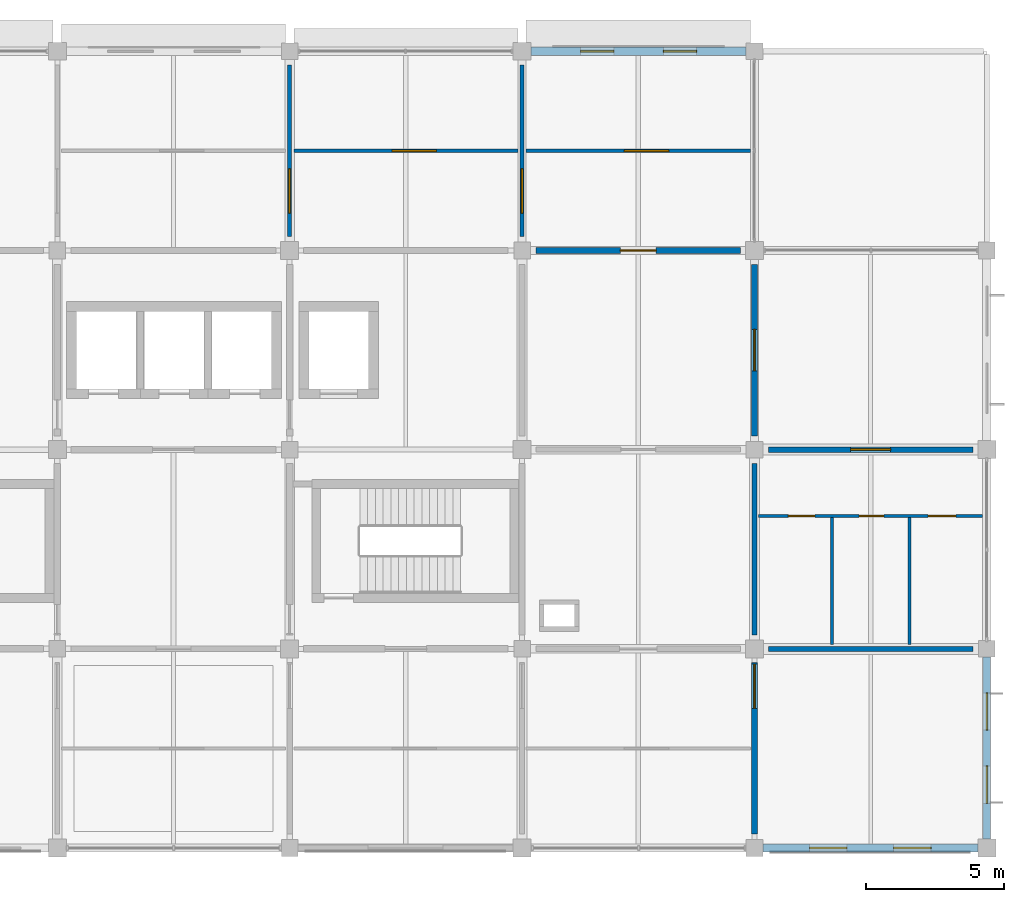
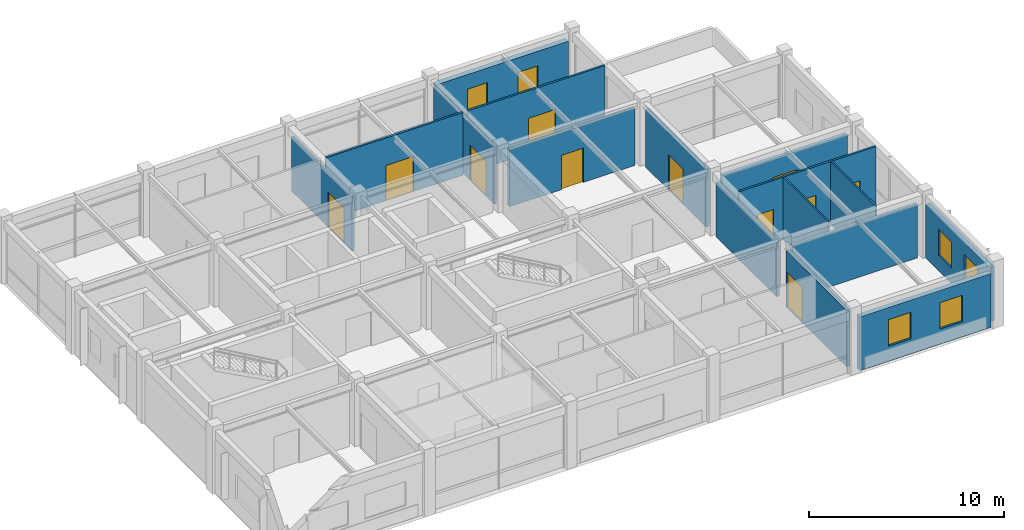
# One storey, part 10 of 13: 16 walls, 11 doors, 6 windows, 17 openings.
"""IFC4 building model written with IfcOpenShell, lengths in metres."""

from ifc_helpers import new_model, si_unit, derived_unit, direction, frame, frame_2d, origin, place, context, subcontext, project, spatial, rectangle, extrude, material, layer, layer_set, type_object, element, fill, save


model = new_model("IFC4")

# Units and contexts
model_context = context("Model", 3, precision=1e-05, world=origin(), true_north=direction((0.0, 1.0)))
body_context = subcontext(model_context, "Body", "Model", "MODEL_VIEW")
ifc_project = project(units=[si_unit("LENGTHUNIT", "METRE"), si_unit("AREAUNIT", "SQUARE_METRE"), si_unit("VOLUMEUNIT", "CUBIC_METRE"), si_unit("PLANEANGLEUNIT", "RADIAN"), si_unit("MASSUNIT", "GRAM", prefix="KILO"), derived_unit("THERMALTRANSMITTANCEUNIT", [(si_unit("MASSUNIT", "GRAM", prefix="KILO"), 1), (si_unit("TIMEUNIT", "SECOND"), -3), (si_unit("THERMODYNAMICTEMPERATUREUNIT", "KELVIN"), -1)])], contexts=[model_context])

# Site, building, storey
site_placement = place(None, origin())
site = spatial("IfcSite", under=ifc_project, at=site_placement, CompositionType="ELEMENT")
building_placement = place(site_placement, origin())
building = spatial("IfcBuilding", under=site, at=building_placement, Name="Veldstrom Oceanarium and Marine Research Institute", CompositionType="ELEMENT")
storey_placement = place(building_placement, frame((0.0, 0.0, 52.199951171875)))
storey = spatial("IfcBuildingStorey", under=building, at=storey_placement, Name="L11", CompositionType="ELEMENT", Elevation=52.199951171875)

# Wall, openings, windows
ifc_material_1 = material(Name="Masonry Cavity Wall", Category="masonry")
ifc_layer_1 = layer(ifc_material_1, 0.31005859375)
ifc_layer_set_1 = layer_set([ifc_layer_1], Name="ARC-WAL-EW1")
wall_type_1 = type_object("IfcWallType", Name="ARC-WAL-EW1", PredefinedType="SOLIDWALL", material=ifc_layer_set_1)
wall_1_placement = place(storey_placement, frame((101.125, 72.0, 0.0), z_axis=(0.0, 0.0, 1.0), x_axis=(1.0, 0.0, 0.0)))
wall_1 = element("IfcWall", 1, at=wall_1_placement, inside=storey, type_object=wall_type_1, Name="Exterior Facade Wall EW1 L11-237", PredefinedType="SOLIDWALL", context=body_context, shape_type="SweptSolid", body=[
    extrude(rectangle(XDim=7.77490234375, YDim=0.31005859375, at=frame_2d((3.887451171875, 0.0))), origin(), (0.0, 0.0, 1.0), 3.364990234375),
])
opening_1_placement = place(wall_1_placement, frame((1.791748046875, 0.0, 0.949951171875)))
opening_1 = element("IfcOpeningElement", 2, at=opening_1_placement, cuts=wall_1, Name="Opening W16", PredefinedType="OPENING", context=body_context, shape_type="SweptSolid", body=[
    extrude(rectangle(XDim=1.199951171875, YDim=1.5, at=frame_2d((0.60009765625, 0.75))), frame((0.0, 0.1650390625, 0.0), z_axis=(0.0, -1.0, 0.0), x_axis=(1.0, 0.0, 0.0)), (0.0, 0.0, 1.0), 0.330078125),
])
opening_2_placement = place(wall_1_placement, frame((4.783203125, 0.0, 0.949951171875)))
opening_2 = element("IfcOpeningElement", 3, at=opening_2_placement, cuts=wall_1, Name="Opening W16", PredefinedType="OPENING", context=body_context, shape_type="SweptSolid", body=[
    extrude(rectangle(XDim=1.199951171875, YDim=1.5, at=frame_2d((0.60009765625, 0.75))), frame((0.0, 0.1650390625, 0.0), z_axis=(0.0, -1.0, 0.0), x_axis=(1.0, 0.0, 0.0)), (0.0, 0.0, 1.0), 0.330078125),
])
ifc_material_2 = material(Name="Double Glazed Low-E IGU", Category="glass")
window_type_1 = type_object("IfcWindowType", Name="ARC-WIN-W16", PartitioningType="SINGLE_PANEL", PredefinedType="WINDOW", material=ifc_material_2)
window_1_placement = place(opening_1_placement, origin())
window_1 = element("IfcWindow", 4, at=window_1_placement, inside=storey, type_object=window_type_1, Name="Facade Window W16 L11-0217", OverallHeight=1.5, OverallWidth=1.199951171875, PartitioningType="SINGLE_PANEL", PredefinedType="WINDOW", context=body_context, shape_type="SweptSolid", body=[
    extrude(rectangle(XDim=1.199951171875, YDim=1.5, at=frame_2d((0.60009765625, 0.75))), frame((0.0, 0.030029296875, 0.0), z_axis=(0.0, -1.0, 0.0), x_axis=(1.0, 0.0, 0.0)), (0.0, 0.0, 1.0), 0.06005859375),
])
fill(opening_1, window_1)
window_2_placement = place(opening_2_placement, origin())
window_2 = element("IfcWindow", 5, at=window_2_placement, inside=storey, type_object=window_type_1, Name="Facade Window W16 L11-0218", OverallHeight=1.5, OverallWidth=1.199951171875, PartitioningType="SINGLE_PANEL", PredefinedType="WINDOW", context=body_context, shape_type="SweptSolid", body=[
    extrude(rectangle(XDim=1.199951171875, YDim=1.5, at=frame_2d((0.60009765625, 0.75))), frame((0.0, 0.030029296875, 0.0), z_axis=(0.0, -1.0, 0.0), x_axis=(1.0, 0.0, 0.0)), (0.0, 0.0, 1.0), 0.06005859375),
])
fill(opening_2, window_2)

ifc_material_3 = material(Name="Masonry Cavity Wall", Category="masonry")
ifc_layer_2 = layer(ifc_material_3, 0.2900390625)
ifc_layer_set_2 = layer_set([ifc_layer_2], Name="ARC-WAL-EW2")
wall_type_2 = type_object("IfcWallType", Name="ARC-WAL-EW2", PredefinedType="SOLIDWALL", material=ifc_layer_set_2)
wall_2_placement = place(storey_placement, frame((109.5, 43.199951171875, 0.0), z_axis=(0.0, 0.0, 1.0), x_axis=(1.0, 0.0, 0.0)))
wall_2 = element("IfcWall", 6, at=wall_2_placement, inside=storey, type_object=wall_type_2, Name="Exterior Facade Wall EW2 L11-238", PredefinedType="SOLIDWALL", context=body_context, shape_type="SweptSolid", body=[
    extrude(rectangle(XDim=7.77490234375, YDim=0.2900390625, at=frame_2d((3.887451171875, 0.0))), origin(), (0.0, 0.0, 1.0), 3.364990234375),
])
opening_3_placement = place(wall_2_placement, frame((1.691650390625, 0.0, 0.949951171875)))
opening_3 = element("IfcOpeningElement", 7, at=opening_3_placement, cuts=wall_2, Name="Opening W24", PredefinedType="OPENING", context=body_context, shape_type="SweptSolid", body=[
    extrude(rectangle(XDim=1.35009765625, YDim=1.64990234375, at=frame_2d((0.675048828125, 0.824951171875))), frame((0.0, 0.155029296875, 0.0), z_axis=(0.0, -1.0, 0.0), x_axis=(1.0, 0.0, 0.0)), (0.0, 0.0, 1.0), 0.31005859375),
])
opening_4_placement = place(wall_2_placement, frame((4.7333984375, 0.0, 0.949951171875)))
opening_4 = element("IfcOpeningElement", 8, at=opening_4_placement, cuts=wall_2, Name="Opening W24", PredefinedType="OPENING", context=body_context, shape_type="SweptSolid", body=[
    extrude(rectangle(XDim=1.35009765625, YDim=1.64990234375, at=frame_2d((0.675048828125, 0.824951171875))), frame((0.0, 0.155029296875, 0.0), z_axis=(0.0, -1.0, 0.0), x_axis=(1.0, 0.0, 0.0)), (0.0, 0.0, 1.0), 0.31005859375),
])
ifc_material_4 = material(Name="Double Glazed Low-E IGU", Category="glass")
window_type_2 = type_object("IfcWindowType", Name="ARC-WIN-W24", PartitioningType="SINGLE_PANEL", PredefinedType="WINDOW", material=ifc_material_4)
window_3_placement = place(opening_3_placement, origin())
window_3 = element("IfcWindow", 9, at=window_3_placement, inside=storey, type_object=window_type_2, Name="Facade Window W24 L11-0219", OverallHeight=1.64990234375, OverallWidth=1.35009765625, PartitioningType="SINGLE_PANEL", PredefinedType="WINDOW", context=body_context, shape_type="SweptSolid", body=[
    extrude(rectangle(XDim=1.35009765625, YDim=1.64990234375, at=frame_2d((0.675048828125, 0.824951171875))), frame((0.0, 0.030029296875, 0.0), z_axis=(0.0, -1.0, 0.0), x_axis=(1.0, 0.0, 0.0)), (0.0, 0.0, 1.0), 0.06005859375),
])
fill(opening_3, window_3)
window_4_placement = place(opening_4_placement, origin())
window_4 = element("IfcWindow", 10, at=window_4_placement, inside=storey, type_object=window_type_2, Name="Facade Window W24 L11-0220", OverallHeight=1.64990234375, OverallWidth=1.35009765625, PartitioningType="SINGLE_PANEL", PredefinedType="WINDOW", context=body_context, shape_type="SweptSolid", body=[
    extrude(rectangle(XDim=1.35009765625, YDim=1.64990234375, at=frame_2d((0.675048828125, 0.824951171875))), frame((0.0, 0.030029296875, 0.0), z_axis=(0.0, -1.0, 0.0), x_axis=(1.0, 0.0, 0.0)), (0.0, 0.0, 1.0), 0.06005859375),
])
fill(opening_4, window_4)

ifc_material_5 = material(Name="Masonry Cavity Wall", Category="masonry")
ifc_layer_3 = layer(ifc_material_5, 0.27001953125)
ifc_layer_set_3 = layer_set([ifc_layer_3], Name="ARC-WAL-EW3")
wall_type_3 = type_object("IfcWallType", Name="ARC-WAL-EW3", PredefinedType="SOLIDWALL", material=ifc_layer_set_3)
wall_3_placement = place(storey_placement, frame((117.60009765625, 43.52490234375, 0.0), z_axis=(0.0, 0.0, 1.0), x_axis=(0.0, 1.0, 0.0)))
wall_3 = element("IfcWall", 11, at=wall_3_placement, inside=storey, type_object=wall_type_3, Name="Exterior Facade Wall EW3 L11-239", PredefinedType="SOLIDWALL", context=body_context, shape_type="SweptSolid", body=[
    extrude(rectangle(XDim=6.5751953125, YDim=0.27001953125, at=frame_2d((3.28759765625, 0.0))), origin(), (0.0, 0.0, 1.0), 3.364990234375),
])
opening_5_placement = place(wall_3_placement, frame((1.291748046875, 0.0, 0.949951171875)))
opening_5 = element("IfcOpeningElement", 12, at=opening_5_placement, cuts=wall_3, Name="Opening W24", PredefinedType="OPENING", context=body_context, shape_type="SweptSolid", body=[
    extrude(rectangle(XDim=1.35009765625, YDim=1.64990234375, at=frame_2d((0.675048828125, 0.824951171875))), frame((0.0, 0.14501953125, 0.0), z_axis=(0.0, -1.0, 0.0), x_axis=(1.0, 0.0, 0.0)), (0.0, 0.0, 1.0), 0.2900390625),
])
opening_6_placement = place(wall_3_placement, frame((3.933349609375, 0.0, 0.949951171875)))
opening_6 = element("IfcOpeningElement", 13, at=opening_6_placement, cuts=wall_3, Name="Opening W24", PredefinedType="OPENING", context=body_context, shape_type="SweptSolid", body=[
    extrude(rectangle(XDim=1.35009765625, YDim=1.64990234375, at=frame_2d((0.675048828125, 0.824951171875))), frame((0.0, 0.14501953125, 0.0), z_axis=(0.0, -1.0, 0.0), x_axis=(1.0, 0.0, 0.0)), (0.0, 0.0, 1.0), 0.2900390625),
])
window_5_placement = place(opening_5_placement, origin())
window_5 = element("IfcWindow", 14, at=window_5_placement, inside=storey, type_object=window_type_2, Name="Facade Window W24 L11-0221", OverallHeight=1.64990234375, OverallWidth=1.35009765625, PartitioningType="SINGLE_PANEL", PredefinedType="WINDOW", context=body_context, shape_type="SweptSolid", body=[
    extrude(rectangle(XDim=1.35009765625, YDim=1.64990234375, at=frame_2d((0.675048828125, 0.824951171875))), frame((0.0, 0.030029296875, 0.0), z_axis=(0.0, -1.0, 0.0), x_axis=(1.0, 0.0, 0.0)), (0.0, 0.0, 1.0), 0.06005859375),
])
fill(opening_5, window_5)
window_6_placement = place(opening_6_placement, origin())
window_6 = element("IfcWindow", 15, at=window_6_placement, inside=storey, type_object=window_type_2, Name="Facade Window W24 L11-0222", OverallHeight=1.64990234375, OverallWidth=1.35009765625, PartitioningType="SINGLE_PANEL", PredefinedType="WINDOW", context=body_context, shape_type="SweptSolid", body=[
    extrude(rectangle(XDim=1.35009765625, YDim=1.64990234375, at=frame_2d((0.675048828125, 0.824951171875))), frame((0.0, 0.030029296875, 0.0), z_axis=(0.0, -1.0, 0.0), x_axis=(1.0, 0.0, 0.0)), (0.0, 0.0, 1.0), 0.06005859375),
])
fill(opening_6, window_6)

# Wall, opening, door
ifc_material_6 = material(Name="Gypsum Acoustic Lab Partition", Category="gypsum")
ifc_layer_4 = layer(ifc_material_6, 0.1201171875)
ifc_layer_set_4 = layer_set([ifc_layer_4], Name="ARC-WAL-PT10")
wall_type_4 = type_object("IfcWallType", Name="ARC-WAL-PT10", PredefinedType="PARTITIONING", material=ifc_layer_set_4)
wall_4_placement = place(storey_placement, frame((92.550048828125, 68.39990234375, 0.0), z_axis=(0.0, 0.0, 1.0), x_axis=(1.0, 0.0, 0.0)))
wall_4 = element("IfcWall", 16, at=wall_4_placement, inside=storey, type_object=wall_type_4, Name="Laboratory Suite Partition L11-11/9", PredefinedType="PARTITIONING", context=body_context, shape_type="SweptSolid", body=[
    extrude(rectangle(XDim=8.099853515625, YDim=0.1201171875, at=frame_2d((4.0498046875, 0.0))), origin(), (0.0, 0.0, 1.0), 3.920166015625),
])
opening_7_placement = place(wall_4_placement, frame((3.550048828125, 0.0, 0.0)))
opening_7 = element("IfcOpeningElement", 17, at=opening_7_placement, cuts=wall_4, Name="Opening D-L11-S1021", PredefinedType="OPENING", context=body_context, shape_type="SweptSolid", body=[
    extrude(rectangle(XDim=1.60009765625, YDim=2.199951171875, at=frame_2d((0.800048828125, 1.10009765625))), frame((0.0, 0.070068359375, 0.0), z_axis=(0.0, -1.0, 0.0), x_axis=(1.0, 0.0, 0.0)), (0.0, 0.0, 1.0), 0.14013671875),
])
ifc_material_7 = material(Name="Acoustic Timber Corridor Door", Category="wood")
door_type_1 = type_object("IfcDoorType", Name="ARC-DOR-ID02", OperationType="DOUBLE_DOOR_SINGLE_SWING", PredefinedType="DOOR", material=ifc_material_7)
door_1_placement = place(opening_7_placement, origin())
door_1 = element("IfcDoor", 18, at=door_1_placement, inside=storey, type_object=door_type_1, Name="Suite Interior Door D-L11-S1021", OperationType="SINGLE_SWING_LEFT", OverallHeight=2.199951171875, OverallWidth=1.60009765625, PredefinedType="DOOR", context=body_context, shape_type="SweptSolid", body=[
    extrude(rectangle(XDim=1.60009765625, YDim=2.199951171875, at=frame_2d((0.800048828125, 1.10009765625))), frame((0.0, 0.02490234375, 0.0), z_axis=(0.0, -1.0, 0.0), x_axis=(1.0, 0.0, 0.0)), (0.0, 0.0, 1.0), 0.050048828125),
])
fill(opening_7, door_1)

wall_5_placement = place(storey_placement, frame((100.949951171875, 68.39990234375, 0.0), z_axis=(0.0, 0.0, 1.0), x_axis=(1.0, 0.0, 0.0)))
wall_5 = element("IfcWall", 19, at=wall_5_placement, inside=storey, type_object=wall_type_4, Name="Laboratory Suite Partition L11-12/9", PredefinedType="PARTITIONING", context=body_context, shape_type="SweptSolid", body=[
    extrude(rectangle(XDim=8.10009765625, YDim=0.1201171875, at=frame_2d((4.050048828125, 0.0))), origin(), (0.0, 0.0, 1.0), 3.920166015625),
])
opening_8_placement = place(wall_5_placement, frame((3.550048828125, 0.0, 0.0)))
opening_8 = element("IfcOpeningElement", 20, at=opening_8_placement, cuts=wall_5, Name="Opening D-L11-S1022", PredefinedType="OPENING", context=body_context, shape_type="SweptSolid", body=[
    extrude(rectangle(XDim=1.60009765625, YDim=2.199951171875, at=frame_2d((0.800048828125, 1.10009765625))), frame((0.0, 0.070068359375, 0.0), z_axis=(0.0, -1.0, 0.0), x_axis=(1.0, 0.0, 0.0)), (0.0, 0.0, 1.0), 0.14013671875),
])
door_2_placement = place(opening_8_placement, origin())
door_2 = element("IfcDoor", 21, at=door_2_placement, inside=storey, type_object=door_type_1, Name="Suite Interior Door D-L11-S1022", OperationType="SINGLE_SWING_RIGHT", OverallHeight=2.199951171875, OverallWidth=1.60009765625, PredefinedType="DOOR", context=body_context, shape_type="SweptSolid", body=[
    extrude(rectangle(XDim=1.60009765625, YDim=2.199951171875, at=frame_2d((0.800048828125, 1.10009765625))), frame((0.0, 0.02490234375, 0.0), z_axis=(0.0, -1.0, 0.0), x_axis=(1.0, 0.0, 0.0)), (0.0, 0.0, 1.0), 0.050048828125),
])
fill(opening_8, door_2)

ifc_material_8 = material(Name="Masonry Acoustic Lab Partition", Category="masonry")
ifc_layer_5 = layer(ifc_material_8, 0.205078125)
ifc_layer_set_5 = layer_set([ifc_layer_5], Name="ARC-WAL-PT2")
wall_type_5 = type_object("IfcWallType", Name="ARC-WAL-PT2", PredefinedType="PARTITIONING", material=ifc_layer_set_5)
wall_6_placement = place(storey_placement, frame((109.199951171875, 43.699951171875, 0.0), z_axis=(0.0, 0.0, 1.0), x_axis=(0.0, 1.0, 0.0)))
wall_6 = element("IfcWall", 22, at=wall_6_placement, inside=storey, type_object=wall_type_5, Name="Interior Partition PT2 L11-1692", PredefinedType="PARTITIONING", context=body_context, shape_type="SweptSolid", body=[
    extrude(rectangle(XDim=6.199951171875, YDim=0.205078125, at=frame_2d((3.10009765625, 0.0))), origin(), (0.0, 0.0, 1.0), 3.51513671875),
])
opening_9_placement = place(wall_6_placement, frame((4.550048828125, 0.0, 0.0)))
opening_9 = element("IfcOpeningElement", 23, at=opening_9_placement, cuts=wall_6, Name="Opening D-L11-1037", PredefinedType="OPENING", context=body_context, shape_type="SweptSolid", body=[
    extrude(rectangle(XDim=1.60009765625, YDim=2.199951171875, at=frame_2d((0.800048828125, 1.10009765625))), frame((0.0, 0.112548828125, 0.0), z_axis=(0.0, -1.0, 0.0), x_axis=(1.0, 0.0, 0.0)), (0.0, 0.0, 1.0), 0.22509765625),
])
door_3_placement = place(opening_9_placement, origin())
door_3 = element("IfcDoor", 24, at=door_3_placement, inside=storey, type_object=door_type_1, Name="Interior Door D-L11-1037", OperationType="DOUBLE_DOOR_SINGLE_SWING", OverallHeight=2.199951171875, OverallWidth=1.60009765625, PredefinedType="DOOR", context=body_context, shape_type="SweptSolid", body=[
    extrude(rectangle(XDim=1.60009765625, YDim=2.199951171875, at=frame_2d((0.800048828125, 1.10009765625))), frame((0.0, 0.02490234375, 0.0), z_axis=(0.0, -1.0, 0.0), x_axis=(1.0, 0.0, 0.0)), (0.0, 0.0, 1.0), 0.050048828125),
])
fill(opening_9, door_3)

wall_7_placement = place(storey_placement, frame((109.199951171875, 58.10009765625, 0.0), z_axis=(0.0, 0.0, 1.0), x_axis=(0.0, 1.0, 0.0)))
wall_7 = element("IfcWall", 25, at=wall_7_placement, inside=storey, type_object=wall_type_5, Name="Interior Partition PT2 L11-1696", PredefinedType="PARTITIONING", context=body_context, shape_type="SweptSolid", body=[
    extrude(rectangle(XDim=6.199951171875, YDim=0.205078125, at=frame_2d((3.10009765625, 0.0))), origin(), (0.0, 0.0, 1.0), 3.625),
])
opening_10_placement = place(wall_7_placement, frame((2.35009765625, 0.0, 0.0)))
opening_10 = element("IfcOpeningElement", 26, at=opening_10_placement, cuts=wall_7, Name="Opening D-L11-1040", PredefinedType="OPENING", context=body_context, shape_type="SweptSolid", body=[
    extrude(rectangle(XDim=1.5, YDim=2.199951171875, at=frame_2d((0.75, 1.10009765625))), frame((0.0, 0.112548828125, 0.0), z_axis=(0.0, -1.0, 0.0), x_axis=(1.0, 0.0, 0.0)), (0.0, 0.0, 1.0), 0.22509765625),
])
ifc_material_9 = material(Name="Laboratory Double Leaf Door", Category="timber")
door_type_2 = type_object("IfcDoorType", Name="ARC-DOR-ID03", OperationType="DOUBLE_DOOR_SINGLE_SWING", PredefinedType="DOOR", material=ifc_material_9)
door_4_placement = place(opening_10_placement, origin())
door_4 = element("IfcDoor", 27, at=door_4_placement, inside=storey, type_object=door_type_2, Name="Interior Door D-L11-1040", OperationType="DOUBLE_DOOR_SINGLE_SWING", OverallHeight=2.199951171875, OverallWidth=1.5, PredefinedType="DOOR", context=body_context, shape_type="SweptSolid", body=[
    extrude(rectangle(XDim=1.5, YDim=2.199951171875, at=frame_2d((0.75, 1.10009765625))), frame((0.0, 0.02490234375, 0.0), z_axis=(0.0, -1.0, 0.0), x_axis=(1.0, 0.0, 0.0)), (0.0, 0.0, 1.0), 0.050048828125),
])
fill(opening_10, door_4)

wall_8_placement = place(storey_placement, frame((101.300048828125, 64.800048828125, 0.0), z_axis=(0.0, 0.0, 1.0), x_axis=(1.0, 0.0, 0.0)))
wall_8 = element("IfcWall", 28, at=wall_8_placement, inside=storey, type_object=wall_type_5, Name="Interior Partition PT2 L11-1697", PredefinedType="PARTITIONING", context=body_context, shape_type="SweptSolid", body=[
    extrude(rectangle(XDim=7.39990234375, YDim=0.205078125, at=frame_2d((3.699951171875, 0.0))), origin(), (0.0, 0.0, 1.0), 3.56494140625),
])
opening_11_placement = place(wall_8_placement, frame((3.050048828125, 0.0, 0.0)))
opening_11 = element("IfcOpeningElement", 29, at=opening_11_placement, cuts=wall_8, Name="Opening D-L11-1041", PredefinedType="OPENING", context=body_context, shape_type="SweptSolid", body=[
    extrude(rectangle(XDim=1.300048828125, YDim=2.14990234375, at=frame_2d((0.64990234375, 1.074951171875))), frame((0.0, 0.112548828125, 0.0), z_axis=(0.0, -1.0, 0.0), x_axis=(1.0, 0.0, 0.0)), (0.0, 0.0, 1.0), 0.22509765625),
])
ifc_material_10 = material(Name="Wet Lab Leaf-and-Half Door", Category="timber")
door_type_3 = type_object("IfcDoorType", Name="ARC-DOR-ID05", OperationType="SINGLE_SWING_LEFT", PredefinedType="DOOR", material=ifc_material_10)
door_5_placement = place(opening_11_placement, frame((1.300048828125, 0.0, 0.0), z_axis=(0.0, 0.0, 1.0), x_axis=(-1.0, 0.0, 0.0)))
door_5 = element("IfcDoor", 30, at=door_5_placement, inside=storey, type_object=door_type_3, Name="Interior Door D-L11-1041", OperationType="SINGLE_SWING_LEFT", OverallHeight=2.14990234375, OverallWidth=1.300048828125, PredefinedType="DOOR", context=body_context, shape_type="SweptSolid", body=[
    extrude(rectangle(XDim=1.300048828125, YDim=2.14990234375, at=frame_2d((0.64990234375, 1.074951171875))), frame((0.0, 0.02490234375, 0.0), z_axis=(0.0, -1.0, 0.0), x_axis=(1.0, 0.0, 0.0)), (0.0, 0.0, 1.0), 0.050048828125),
])
fill(opening_11, door_5)

wall_9_placement = place(storey_placement, frame((109.699951171875, 57.60009765625, 0.0), z_axis=(0.0, 0.0, 1.0), x_axis=(1.0, 0.0, 0.0)))
wall_9 = element("IfcWall", 31, at=wall_9_placement, inside=storey, type_object=wall_type_5, Name="Interior Partition PT2 L11-1699", PredefinedType="PARTITIONING", context=body_context, shape_type="SweptSolid", body=[
    extrude(rectangle(XDim=7.400146484375, YDim=0.205078125, at=frame_2d((3.7001953125, 0.0))), origin(), (0.0, 0.0, 1.0), 3.364990234375),
])
opening_12_placement = place(wall_9_placement, frame((2.97509765625, 0.0, 0.0)))
opening_12 = element("IfcOpeningElement", 32, at=opening_12_placement, cuts=wall_9, Name="Opening D-L11-1042", PredefinedType="OPENING", context=body_context, shape_type="SweptSolid", body=[
    extrude(rectangle(XDim=1.449951171875, YDim=2.199951171875, at=frame_2d((0.72509765625, 1.10009765625))), frame((0.0, 0.112548828125, 0.0), z_axis=(0.0, -1.0, 0.0), x_axis=(1.0, 0.0, 0.0)), (0.0, 0.0, 1.0), 0.22509765625),
])
ifc_material_11 = material(Name="Curatorial Archive Door", Category="timber")
door_type_4 = type_object("IfcDoorType", Name="ARC-DOR-ID14", OperationType="DOUBLE_DOOR_SINGLE_SWING", PredefinedType="DOOR", material=ifc_material_11)
door_6_placement = place(opening_12_placement, frame((1.449951171875, 0.0, 0.0), z_axis=(0.0, 0.0, 1.0), x_axis=(-1.0, 0.0, 0.0)))
door_6 = element("IfcDoor", 33, at=door_6_placement, inside=storey, type_object=door_type_4, Name="Interior Door D-L11-1042", OperationType="DOUBLE_DOOR_SINGLE_SWING", OverallHeight=2.199951171875, OverallWidth=1.449951171875, PredefinedType="DOOR", context=body_context, shape_type="SweptSolid", body=[
    extrude(rectangle(XDim=1.449951171875, YDim=2.199951171875, at=frame_2d((0.72509765625, 1.10009765625))), frame((0.0, 0.02490234375, 0.0), z_axis=(0.0, -1.0, 0.0), x_axis=(1.0, 0.0, 0.0)), (0.0, 0.0, 1.0), 0.050048828125),
])
fill(opening_12, door_6)

# Walls
ifc_material_12 = material(Name="Drywall Acoustic Partition", Category="gypsum")
ifc_layer_6 = layer(ifc_material_12, 0.175048828125)
ifc_layer_set_6 = layer_set([ifc_layer_6], Name="ARC-WAL-PT3")
wall_type_6 = type_object("IfcWallType", Name="ARC-WAL-PT3", PredefinedType="PARTITIONING", material=ifc_layer_set_6)
wall_10_placement = place(storey_placement, frame((109.199951171875, 50.89990234375, 0.0), z_axis=(0.0, 0.0, 1.0), x_axis=(0.0, 1.0, 0.0)))
element("IfcWall", 34, at=wall_10_placement, inside=storey, type_object=wall_type_6, Name="Interior Partition PT3 L11-1694", PredefinedType="PARTITIONING", context=body_context, shape_type="SweptSolid", body=[
    extrude(rectangle(XDim=6.2001953125, YDim=0.175048828125, at=frame_2d((3.10009765625, 0.0))), origin(), (0.0, 0.0, 1.0), 3.4150390625),
])
wall_11_placement = place(storey_placement, frame((109.699951171875, 50.39990234375, 0.0), z_axis=(0.0, 0.0, 1.0), x_axis=(1.0, 0.0, 0.0)))
element("IfcWall", 35, at=wall_11_placement, inside=storey, type_object=wall_type_6, Name="Interior Partition PT3 L11-1698", PredefinedType="PARTITIONING", context=body_context, shape_type="SweptSolid", body=[
    extrude(rectangle(XDim=7.400146484375, YDim=0.175048828125, at=frame_2d((3.7001953125, 0.0))), origin(), (0.0, 0.0, 1.0), 3.364990234375),
])

# Wall, opening, door
ifc_material_13 = material(Name="Drywall Corridor Partition", Category="gypsum")
ifc_layer_7 = layer(ifc_material_13, 0.155029296875)
ifc_layer_set_7 = layer_set([ifc_layer_7], Name="ARC-WAL-PT4")
wall_type_7 = type_object("IfcWallType", Name="ARC-WAL-PT4", PredefinedType="PARTITIONING", material=ifc_layer_set_7)
wall_12_placement = place(storey_placement, frame((100.800048828125, 65.300048828125, 0.0), z_axis=(0.0, 0.0, 1.0), x_axis=(0.0, 1.0, 0.0)))
wall_12 = element("IfcWall", 36, at=wall_12_placement, inside=storey, type_object=wall_type_7, Name="Interior Partition PT4 L11-1691", PredefinedType="PARTITIONING", context=body_context, shape_type="SweptSolid", body=[
    extrude(rectangle(XDim=6.199951171875, YDim=0.155029296875, at=frame_2d((3.10009765625, 0.0))), origin(), (0.0, 0.0, 1.0), 3.625),
])
opening_13_placement = place(wall_12_placement, frame((0.85009765625, 0.0, 0.0)))
opening_13 = element("IfcOpeningElement", 37, at=opening_13_placement, cuts=wall_12, Name="Opening D-L11-1036", PredefinedType="OPENING", context=body_context, shape_type="SweptSolid", body=[
    extrude(rectangle(XDim=1.60009765625, YDim=2.199951171875, at=frame_2d((0.800048828125, 1.10009765625))), frame((0.0, 0.08740234375, 0.0), z_axis=(0.0, -1.0, 0.0), x_axis=(1.0, 0.0, 0.0)), (0.0, 0.0, 1.0), 0.175048828125),
])
door_7_placement = place(opening_13_placement, origin())
door_7 = element("IfcDoor", 38, at=door_7_placement, inside=storey, type_object=door_type_1, Name="Interior Door D-L11-1036", OperationType="DOUBLE_DOOR_SINGLE_SWING", OverallHeight=2.199951171875, OverallWidth=1.60009765625, PredefinedType="DOOR", context=body_context, shape_type="SweptSolid", body=[
    extrude(rectangle(XDim=1.60009765625, YDim=2.199951171875, at=frame_2d((0.800048828125, 1.10009765625))), frame((0.0, 0.02490234375, 0.0), z_axis=(0.0, -1.0, 0.0), x_axis=(1.0, 0.0, 0.0)), (0.0, 0.0, 1.0), 0.050048828125),
])
fill(opening_13, door_7)

ifc_material_14 = material(Name="Moisture-Resistant Wet-Area Partition", Category="masonry")
ifc_layer_8 = layer(ifc_material_14, 0.139892578125)
ifc_layer_set_8 = layer_set([ifc_layer_8], Name="ARC-WAL-PT5")
wall_type_8 = type_object("IfcWallType", Name="ARC-WAL-PT5", PredefinedType="PARTITIONING", material=ifc_layer_set_8)
wall_13_placement = place(storey_placement, frame((92.39990234375, 65.300048828125, 0.0), z_axis=(0.0, 0.0, 1.0), x_axis=(0.0, 1.0, 0.0)))
wall_13 = element("IfcWall", 39, at=wall_13_placement, inside=storey, type_object=wall_type_8, Name="Interior Partition PT5 L11-1684", PredefinedType="PARTITIONING", context=body_context, shape_type="SweptSolid", body=[
    extrude(rectangle(XDim=6.199951171875, YDim=0.139892578125, at=frame_2d((3.10009765625, 0.0))), origin(), (0.0, 0.0, 1.0), 3.4150390625),
])
opening_14_placement = place(wall_13_placement, frame((0.85009765625, 0.0, 0.0)))
opening_14 = element("IfcOpeningElement", 40, at=opening_14_placement, cuts=wall_13, Name="Opening D-L11-1033", PredefinedType="OPENING", context=body_context, shape_type="SweptSolid", body=[
    extrude(rectangle(XDim=1.60009765625, YDim=2.199951171875, at=frame_2d((0.800048828125, 1.10009765625))), frame((0.0, 0.079833984375, 0.0), z_axis=(0.0, -1.0, 0.0), x_axis=(1.0, 0.0, 0.0)), (0.0, 0.0, 1.0), 0.159912109375),
])
door_8_placement = place(opening_14_placement, frame((1.60009765625, 0.0, 0.0), z_axis=(0.0, 0.0, 1.0), x_axis=(-1.0, 0.0, 0.0)))
door_8 = element("IfcDoor", 41, at=door_8_placement, inside=storey, type_object=door_type_1, Name="Interior Door D-L11-1033", OperationType="DOUBLE_DOOR_SINGLE_SWING", OverallHeight=2.199951171875, OverallWidth=1.60009765625, PredefinedType="DOOR", context=body_context, shape_type="SweptSolid", body=[
    extrude(rectangle(XDim=1.60009765625, YDim=2.199951171875, at=frame_2d((0.800048828125, 1.10009765625))), frame((0.0, 0.02490234375, 0.0), z_axis=(0.0, -1.0, 0.0), x_axis=(1.0, 0.0, 0.0)), (0.0, 0.0, 1.0), 0.050048828125),
])
fill(opening_14, door_8)

# Wall, openings, doors
ifc_material_15 = material(Name="Lightweight Studio Partition", Category="gypsum")
ifc_layer_9 = layer(ifc_material_15, 0.1201171875)
ifc_layer_set_9 = layer_set([ifc_layer_9], Name="ARC-WAL-PT6")
wall_type_9 = type_object("IfcWallType", Name="ARC-WAL-PT6", PredefinedType="PARTITIONING", material=ifc_layer_set_9)
wall_14_placement = place(storey_placement, frame((109.35009765625, 55.199951171875, 0.0), z_axis=(0.0, 0.0, 1.0), x_axis=(1.0, 0.0, 0.0)))
wall_14 = element("IfcWall", 42, at=wall_14_placement, inside=storey, type_object=wall_type_9, Name="Sanitary Vestibule Partition L11-13", PredefinedType="PARTITIONING", context=body_context, shape_type="SweptSolid", body=[
    extrude(rectangle(XDim=8.099853515625, YDim=0.1201171875, at=frame_2d((4.0498046875, 0.0))), origin(), (0.0, 0.0, 1.0), 3.920166015625),
])
opening_15_placement = place(wall_14_placement, frame((1.080078125, 0.0, 0.0)))
opening_15 = element("IfcOpeningElement", 43, at=opening_15_placement, cuts=wall_14, Name="Opening D-L11-WC1014", PredefinedType="OPENING", context=body_context, shape_type="SweptSolid", body=[
    extrude(rectangle(XDim=0.949951171875, YDim=2.10009765625, at=frame_2d((0.47509765625, 1.050048828125))), frame((0.0, 0.070068359375, 0.0), z_axis=(0.0, -1.0, 0.0), x_axis=(1.0, 0.0, 0.0)), (0.0, 0.0, 1.0), 0.14013671875),
])
opening_16_placement = place(wall_14_placement, frame((3.6298828125, 0.0, 0.0)))
opening_16 = element("IfcOpeningElement", 44, at=opening_16_placement, cuts=wall_14, Name="Opening D-L11-WC1015", PredefinedType="OPENING", context=body_context, shape_type="SweptSolid", body=[
    extrude(rectangle(XDim=0.89990234375, YDim=2.10009765625, at=frame_2d((0.449951171875, 1.050048828125))), frame((0.0, 0.070068359375, 0.0), z_axis=(0.0, -1.0, 0.0), x_axis=(1.0, 0.0, 0.0)), (0.0, 0.0, 1.0), 0.14013671875),
])
opening_17_placement = place(wall_14_placement, frame((6.1298828125, 0.0, 0.0)))
opening_17 = element("IfcOpeningElement", 45, at=opening_17_placement, cuts=wall_14, Name="Opening D-L11-WC1016", PredefinedType="OPENING", context=body_context, shape_type="SweptSolid", body=[
    extrude(rectangle(XDim=1.0, YDim=2.10009765625, at=frame_2d((0.5, 1.050048828125))), frame((0.0, 0.070068359375, 0.0), z_axis=(0.0, -1.0, 0.0), x_axis=(1.0, 0.0, 0.0)), (0.0, 0.0, 1.0), 0.14013671875),
])
ifc_material_16 = material(Name="Accessible Sanitary Door", Category="timber")
door_type_5 = type_object("IfcDoorType", Name="ARC-DOR-ID08", OperationType="SINGLE_SWING_RIGHT", PredefinedType="DOOR", material=ifc_material_16)
door_9_placement = place(opening_17_placement, frame((1.0, 0.0, 0.0), z_axis=(0.0, 0.0, 1.0), x_axis=(-1.0, 0.0, 0.0)))
door_9 = element("IfcDoor", 46, at=door_9_placement, inside=storey, type_object=door_type_5, Name="Accessible WC Door D-L11-WC1016", OperationType="SINGLE_SWING_RIGHT", OverallHeight=2.10009765625, OverallWidth=1.0, PredefinedType="DOOR", context=body_context, shape_type="SweptSolid", body=[
    extrude(rectangle(XDim=1.0, YDim=2.10009765625, at=frame_2d((0.5, 1.050048828125))), frame((0.0, 0.02490234375, 0.0), z_axis=(0.0, -1.0, 0.0), x_axis=(1.0, 0.0, 0.0)), (0.0, 0.0, 1.0), 0.050048828125),
])
fill(opening_17, door_9)
ifc_material_17 = material(Name="Staff Sanitary Door", Category="timber")
door_type_6 = type_object("IfcDoorType", Name="ARC-DOR-ID09", OperationType="SINGLE_SWING_LEFT", PredefinedType="DOOR", material=ifc_material_17)
door_10_placement = place(opening_15_placement, frame((0.949951171875, 0.0, 0.0), z_axis=(0.0, 0.0, 1.0), x_axis=(-1.0, 0.0, 0.0)))
door_10 = element("IfcDoor", 47, at=door_10_placement, inside=storey, type_object=door_type_6, Name="Male WC Door D-L11-WC1014", OperationType="SINGLE_SWING_RIGHT", OverallHeight=2.10009765625, OverallWidth=0.949951171875, PredefinedType="DOOR", context=body_context, shape_type="SweptSolid", body=[
    extrude(rectangle(XDim=0.949951171875, YDim=2.10009765625, at=frame_2d((0.47509765625, 1.050048828125))), frame((0.0, 0.02490234375, 0.0), z_axis=(0.0, -1.0, 0.0), x_axis=(1.0, 0.0, 0.0)), (0.0, 0.0, 1.0), 0.050048828125),
])
fill(opening_15, door_10)
ifc_material_18 = material(Name="Internal Sanitary Door", Category="timber")
door_type_7 = type_object("IfcDoorType", Name="ARC-DOR-ID10", OperationType="SINGLE_SWING_RIGHT", PredefinedType="DOOR", material=ifc_material_18)
door_11_placement = place(opening_16_placement, frame((0.89990234375, 0.0, 0.0), z_axis=(0.0, 0.0, 1.0), x_axis=(-1.0, 0.0, 0.0)))
door_11 = element("IfcDoor", 48, at=door_11_placement, inside=storey, type_object=door_type_7, Name="Female WC Door D-L11-WC1015", OperationType="SINGLE_SWING_LEFT", OverallHeight=2.10009765625, OverallWidth=0.89990234375, PredefinedType="DOOR", context=body_context, shape_type="SweptSolid", body=[
    extrude(rectangle(XDim=0.89990234375, YDim=2.10009765625, at=frame_2d((0.449951171875, 1.050048828125))), frame((0.0, 0.02490234375, 0.0), z_axis=(0.0, -1.0, 0.0), x_axis=(1.0, 0.0, 0.0)), (0.0, 0.0, 1.0), 0.050048828125),
])
fill(opening_16, door_11)

# Walls
ifc_material_19 = material(Name="Sanitary Cubicle Partition", Category="gypsum")
ifc_layer_10 = layer(ifc_material_19, 0.10009765625)
ifc_layer_set_10 = layer_set([ifc_layer_10], Name="ARC-WAL-PT7")
wall_type_10 = type_object("IfcWallType", Name="ARC-WAL-PT7", PredefinedType="PARTITIONING", material=ifc_layer_set_10)
for number, where, z_axis, x_axis, name in (
    (49, (112.0, 50.550048828125, 0.0), (0.0, 0.0, 1.0), (0.0, 1.0, 0.0), "Sanitary Stall Divider Wall L11-1663"),
    (50, (114.800048828125, 50.550048828125, 0.0), (0.0, 0.0, 1.0), (0.0, 1.0, 0.0), "Sanitary Stall Divider Wall L11-1664"),
):
    element("IfcWall", number, at=place(storey_placement, frame(where, z_axis=z_axis, x_axis=x_axis)), inside=storey, type_object=wall_type_10, Name=name, PredefinedType="PARTITIONING", context=body_context, shape_type="SweptSolid", body=[
        extrude(rectangle(XDim=4.58984375, YDim=0.10009765625, at=frame_2d((2.294921875, 0.0))), origin(), (0.0, 0.0, 1.0), 3.920166015625),
    ])

save(model, "model.ifc")
